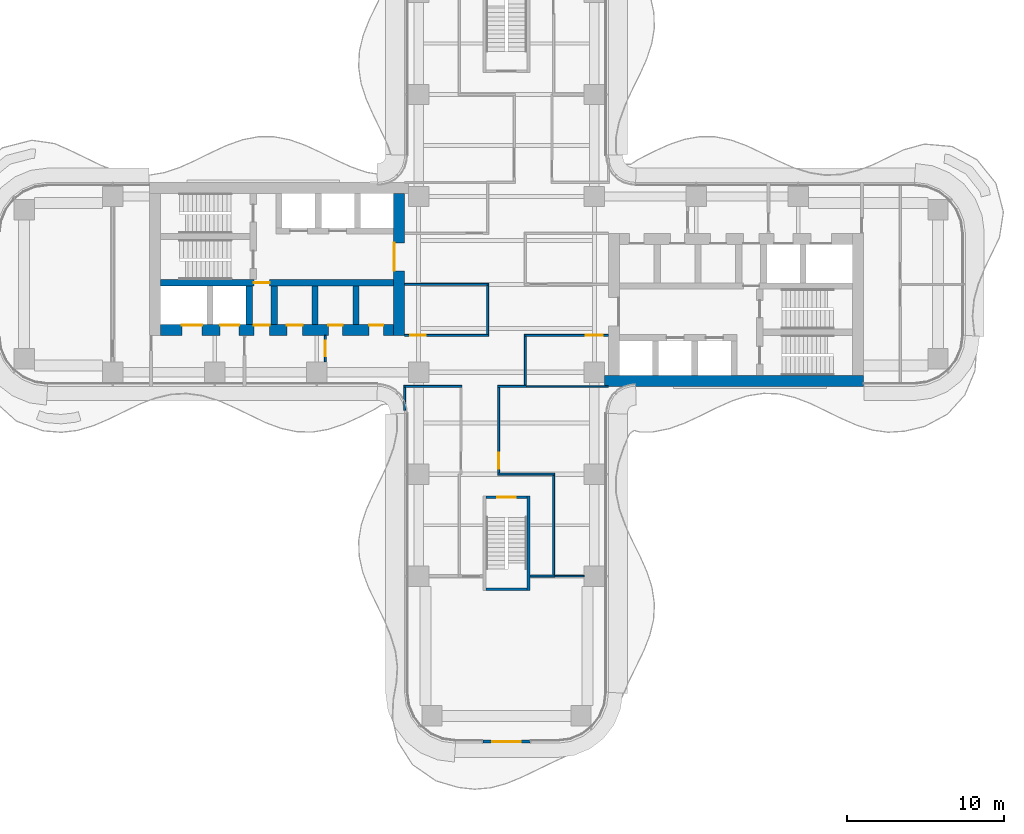
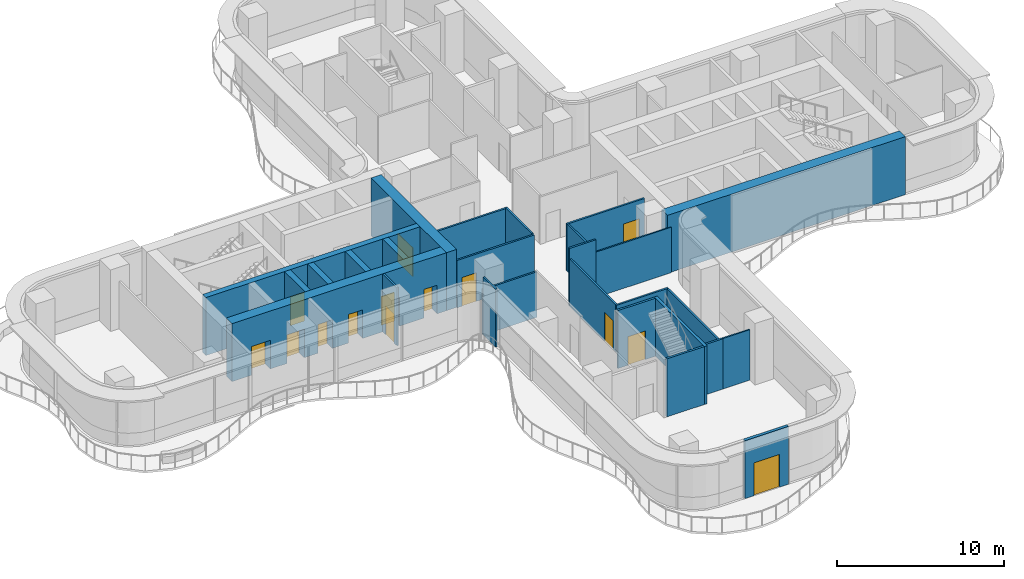
# One storey, part 16 of 21: 27 walls, 14 doors, 14 openings.
"""IFC4 building model written with IfcOpenShell, lengths in metres."""

from ifc_helpers import new_model, si_unit, direction, frame, frame_2d, origin, place, context, subcontext, project, spatial, rectangle, extrude, source, transform, mapped, material, layer, layer_set, type_object, element, fill, save


model = new_model("IFC4")

# Units and contexts
model_context = context("Model", 3, precision=1e-05, world=origin(), true_north=direction((0.0, 1.0)))
body_context = subcontext(model_context, "Body", "Model", "MODEL_VIEW")
ifc_project = project(units=[si_unit("LENGTHUNIT", "METRE"), si_unit("AREAUNIT", "SQUARE_METRE"), si_unit("VOLUMEUNIT", "CUBIC_METRE"), si_unit("PLANEANGLEUNIT", "RADIAN"), si_unit("MASSUNIT", "GRAM", prefix="KILO")], contexts=[model_context])

# Site, building, storey
site_placement = place(None, origin())
site = spatial("IfcSite", under=ifc_project, at=site_placement, CompositionType="ELEMENT")
building_placement = place(site_placement, origin())
building = spatial("IfcBuilding", under=site, at=building_placement, Name="Trellis Farm Tower", CompositionType="ELEMENT")
storey_placement = place(building_placement, frame((0.0, 0.0, 102.0)))
storey = spatial("IfcBuildingStorey", under=building, at=storey_placement, Name="L21", CompositionType="ELEMENT", Elevation=102.0)

# Wall, opening, door
ifc_material_1 = material(Name="Concrete C70/85", Category="concrete")
ifc_layer_1 = layer(ifc_material_1, 0.699951171875)
ifc_layer_set_1 = layer_set([ifc_layer_1], Name="CORE OUTER WALL 700 CONCRETE C70/85")
wall_type_1 = type_object("IfcWallType", Name="CORE OUTER WALL 700 CONCRETE C70/85", PredefinedType="SHEAR", material=ifc_layer_set_1)
shared_shape_1 = source(origin(), body_context, "Body", "SweptSolid", [
    extrude(rectangle(XDim=9.050048828125, YDim=0.699951171875, at=frame_2d((4.52490234375, 0.0))), origin(), (0.0, 0.0, 1.0), 4.25),
])
wall_1_placement = place(storey_placement, frame((-6.85009765625, 5.800048828125, 0.0), z_axis=(0.0, 0.0, 1.0), x_axis=(0.0, -1.0, 0.0)))
wall_1 = element("IfcWall", 1, at=wall_1_placement, inside=storey, type_object=wall_type_1, Name="Core wall", PredefinedType="SHEAR", context=body_context, shape_type="MappedRepresentation", body=[
    mapped(shared_shape_1, transform((0.0, 0.0, 0.0))),
])
shared_shape_2 = source(origin(), body_context, "Body", "SweptSolid", [
    extrude(rectangle(XDim=1.800048828125, YDim=2.10009765625, at=frame_2d((0.89990234375, 1.050048828125))), frame((0.0, 0.360107421875, 0.0), z_axis=(0.0, -1.0, 0.0), x_axis=(1.0, 0.0, 0.0)), (0.0, 0.0, 1.0), 0.72021484375),
])
opening_1_placement = place(wall_1_placement, frame((3.14990234375, 0.0, 0.0)))
opening_1 = element("IfcOpeningElement", 2, at=opening_1_placement, cuts=wall_1, Name="Opening DC87", PredefinedType="OPENING", context=body_context, shape_type="MappedRepresentation", body=[
    mapped(shared_shape_2, transform((0.0, 0.0, 0.0))),
])
ifc_material_2 = material(Name="Steel", Category="steel")
door_type_1 = type_object("IfcDoorType", Name="CORE FIRE DOOR DOUBLE 1800 X 2100", OperationType="DOUBLE_DOOR_SINGLE_SWING", PredefinedType="DOOR", material=ifc_material_2)
shared_shape_3 = source(origin(), body_context, "Body", "SweptSolid", [
    extrude(rectangle(XDim=1.800048828125, YDim=2.10009765625, at=frame_2d((0.89990234375, 1.050048828125))), frame((0.0, -0.27490234375, 0.0), z_axis=(0.0, -1.0, 0.0), x_axis=(1.0, 0.0, 0.0)), (0.0, 0.0, 1.0), 0.050048828125),
])
door_1_placement = place(opening_1_placement, origin())
door_1 = element("IfcDoor", 3, at=door_1_placement, inside=storey, type_object=door_type_1, Name="Core door", OperationType="DOUBLE_DOOR_SINGLE_SWING", OverallHeight=2.10009765625, OverallWidth=1.800048828125, PredefinedType="DOOR", context=body_context, shape_type="MappedRepresentation", body=[
    mapped(shared_shape_3, transform((0.0, 0.0, 0.0))),
])
fill(opening_1, door_1)

# Walls
ifc_layer_2 = layer(ifc_material_1, 0.39990234375)
ifc_layer_set_2 = layer_set([ifc_layer_2], Name="CORE INNER WALL 400 CONCRETE C70/85")
wall_type_2 = type_object("IfcWallType", Name="CORE INNER WALL 400 CONCRETE C70/85", PredefinedType="SHEAR", material=ifc_layer_set_2)
shared_shape_4 = source(origin(), body_context, "Body", "SweptSolid", [
    extrude(rectangle(XDim=2.449951171875, YDim=0.39990234375, at=frame_2d((1.22509765625, 0.0))), origin(), (0.0, 0.0, 1.0), 4.25),
])
for number, where, z_axis, x_axis, name in (
    (4, (-9.60009765625, -0.10009765625, 0.0), (0.0, 0.0, 1.0), (0.0, -1.0, 0.0), "Core wall"),
    (5, (-12.199951171875, -0.10009765625, 0.0), (0.0, 0.0, 1.0), (0.0, -1.0, 0.0), "Core wall"),
    (6, (-14.800048828125, -0.10009765625, 0.0), (0.0, 0.0, 1.0), (0.0, -1.0, 0.0), "Core wall"),
    (7, (-16.39990234375, -0.10009765625, 0.0), (0.0, 0.0, 1.0), (0.0, -1.0, 0.0), "Core wall"),
):
    element("IfcWall", number, at=place(storey_placement, frame(where, z_axis=z_axis, x_axis=x_axis)), inside=storey, type_object=wall_type_2, Name=name, PredefinedType="SHEAR", context=body_context, shape_type="MappedRepresentation", body=[
        mapped(shared_shape_4, transform((0.0, 0.0, 0.0))),
    ])

# Wall, openings, doors
shared_shape_5 = source(origin(), body_context, "Body", "SweptSolid", [
    extrude(rectangle(XDim=14.85009765625, YDim=0.699951171875, at=frame_2d((7.425048828125, 0.0))), origin(), (0.0, 0.0, 1.0), 4.25),
])
wall_2_placement = place(storey_placement, frame((-7.199951171875, -2.89990234375, 0.0), z_axis=(0.0, 0.0, 1.0), x_axis=(-1.0, 0.0, 0.0)))
wall_2 = element("IfcWall", 8, at=wall_2_placement, inside=storey, type_object=wall_type_1, Name="Core wall", PredefinedType="SHEAR", context=body_context, shape_type="MappedRepresentation", body=[
    mapped(shared_shape_5, transform((0.0, 0.0, 0.0))),
])
shared_shape_6 = source(origin(), body_context, "Body", "SweptSolid", [
    extrude(rectangle(XDim=1.300048828125, YDim=2.10009765625, at=frame_2d((0.64990234375, 1.050048828125))), frame((0.0, 0.360107421875, 0.0), z_axis=(0.0, -1.0, 0.0), x_axis=(1.0, 0.0, 0.0)), (0.0, 0.0, 1.0), 0.72021484375),
])
opening_2_placement = place(wall_2_placement, frame((12.199951171875, 0.0, 0.0)))
opening_2 = element("IfcOpeningElement", 9, at=opening_2_placement, cuts=wall_2, Name="Opening LD15", PredefinedType="OPENING", context=body_context, shape_type="MappedRepresentation", body=[
    mapped(shared_shape_6, transform((0.0, 0.0, 0.0))),
])
shared_shape_7 = source(origin(), body_context, "Body", "SweptSolid", [
    extrude(rectangle(XDim=1.199951171875, YDim=2.10009765625, at=frame_2d((0.60009765625, 1.050048828125))), frame((0.0, 0.360107421875, 0.0), z_axis=(0.0, -1.0, 0.0), x_axis=(1.0, 0.0, 0.0)), (0.0, 0.0, 1.0), 0.72021484375),
])
opening_3_placement = place(wall_2_placement, frame((9.85009765625, 0.0, 0.0)))
opening_3 = element("IfcOpeningElement", 10, at=opening_3_placement, cuts=wall_2, Name="Opening LD16", PredefinedType="OPENING", context=body_context, shape_type="MappedRepresentation", body=[
    mapped(shared_shape_7, transform((0.0, 0.0, 0.0))),
])
shared_shape_8 = source(origin(), body_context, "Body", "SweptSolid", [
    extrude(rectangle(XDim=1.0, YDim=2.10009765625, at=frame_2d((0.5, 1.050048828125))), frame((0.0, 0.360107421875, 0.0), z_axis=(0.0, -1.0, 0.0), x_axis=(1.0, 0.0, 0.0)), (0.0, 0.0, 1.0), 0.72021484375),
])
opening_4_placement = place(wall_2_placement, frame((7.89990234375, 0.0, 0.0)))
opening_4 = element("IfcOpeningElement", 11, at=opening_4_placement, cuts=wall_2, Name="Opening DC92", PredefinedType="OPENING", context=body_context, shape_type="MappedRepresentation", body=[
    mapped(shared_shape_8, transform((0.0, 0.0, 0.0))),
])
shared_shape_9 = source(origin(), body_context, "Body", "SweptSolid", [
    extrude(rectangle(XDim=0.89990234375, YDim=2.10009765625, at=frame_2d((0.449951171875, 1.050048828125))), frame((0.0, 0.360107421875, 0.0), z_axis=(0.0, -1.0, 0.0), x_axis=(1.0, 0.0, 0.0)), (0.0, 0.0, 1.0), 0.72021484375),
])
opening_5_placement = place(wall_2_placement, frame((0.64990234375, 0.0, 0.0)))
opening_5 = element("IfcOpeningElement", 12, at=opening_5_placement, cuts=wall_2, Name="Opening DC97", PredefinedType="OPENING", context=body_context, shape_type="MappedRepresentation", body=[
    mapped(shared_shape_9, transform((0.0, 0.0, 0.0))),
])
opening_6_placement = place(wall_2_placement, frame((3.25, 0.0, 0.0)))
opening_6 = element("IfcOpeningElement", 13, at=opening_6_placement, cuts=wall_2, Name="Opening DC110", PredefinedType="OPENING", context=body_context, shape_type="MappedRepresentation", body=[
    mapped(shared_shape_9, transform((0.0, 0.0, 0.0))),
])
opening_7_placement = place(wall_2_placement, frame((5.800048828125, 0.0, 0.0)))
opening_7 = element("IfcOpeningElement", 14, at=opening_7_placement, cuts=wall_2, Name="Opening DC123", PredefinedType="OPENING", context=body_context, shape_type="MappedRepresentation", body=[
    mapped(shared_shape_8, transform((0.0, 0.0, 0.0))),
])
door_type_2 = type_object("IfcDoorType", Name="CORE FIRE DOOR 1000 X 2100", OperationType="NOTDEFINED", PredefinedType="DOOR", material=ifc_material_2)
shared_shape_10 = source(origin(), body_context, "Body", "SweptSolid", [
    extrude(rectangle(XDim=1.0, YDim=2.10009765625, at=frame_2d((0.5, 1.050048828125))), frame((0.0, -0.27490234375, 0.0), z_axis=(0.0, -1.0, 0.0), x_axis=(1.0, 0.0, 0.0)), (0.0, 0.0, 1.0), 0.050048828125),
])
door_2_placement = place(opening_4_placement, origin())
door_2 = element("IfcDoor", 15, at=door_2_placement, inside=storey, type_object=door_type_2, Name="Core door", OperationType="SINGLE_SWING_LEFT", OverallHeight=2.10009765625, OverallWidth=1.0, PredefinedType="DOOR", context=body_context, shape_type="MappedRepresentation", body=[
    mapped(shared_shape_10, transform((0.0, 0.0, 0.0))),
])
fill(opening_4, door_2)
door_3_placement = place(opening_7_placement, origin())
door_3 = element("IfcDoor", 16, at=door_3_placement, inside=storey, type_object=door_type_2, Name="Core door", OperationType="SINGLE_SWING_LEFT", OverallHeight=2.10009765625, OverallWidth=1.0, PredefinedType="DOOR", context=body_context, shape_type="MappedRepresentation", body=[
    mapped(shared_shape_10, transform((0.0, 0.0, 0.0))),
])
fill(opening_7, door_3)
door_type_3 = type_object("IfcDoorType", Name="CORE FIRE DOOR 900 X 2100", OperationType="NOTDEFINED", PredefinedType="DOOR", material=ifc_material_2)
shared_shape_11 = source(origin(), body_context, "Body", "SweptSolid", [
    extrude(rectangle(XDim=0.89990234375, YDim=2.10009765625, at=frame_2d((0.449951171875, 1.050048828125))), frame((0.0, -0.27490234375, 0.0), z_axis=(0.0, -1.0, 0.0), x_axis=(1.0, 0.0, 0.0)), (0.0, 0.0, 1.0), 0.050048828125),
])
door_4_placement = place(opening_5_placement, origin())
door_4 = element("IfcDoor", 17, at=door_4_placement, inside=storey, type_object=door_type_3, Name="Core door", OperationType="SINGLE_SWING_LEFT", OverallHeight=2.10009765625, OverallWidth=0.89990234375, PredefinedType="DOOR", context=body_context, shape_type="MappedRepresentation", body=[
    mapped(shared_shape_11, transform((0.0, 0.0, 0.0))),
])
fill(opening_5, door_4)
door_5_placement = place(opening_6_placement, origin())
door_5 = element("IfcDoor", 18, at=door_5_placement, inside=storey, type_object=door_type_3, Name="Core door", OperationType="SINGLE_SWING_RIGHT", OverallHeight=2.10009765625, OverallWidth=0.89990234375, PredefinedType="DOOR", context=body_context, shape_type="MappedRepresentation", body=[
    mapped(shared_shape_11, transform((0.0, 0.0, 0.0))),
])
fill(opening_6, door_5)
ifc_material_3 = material(Name="Stainless steel", Category="steel")
door_type_4 = type_object("IfcDoorType", Name="LIFT LANDING DOOR 1300 X 2100", OperationType="DOUBLE_DOOR_SLIDING", PredefinedType="DOOR", material=ifc_material_3)
shared_shape_12 = source(origin(), body_context, "Body", "SweptSolid", [
    extrude(rectangle(XDim=1.300048828125, YDim=2.10009765625, at=frame_2d((0.64990234375, 1.050048828125))), frame((0.0, -0.27490234375, 0.0), z_axis=(0.0, -1.0, 0.0), x_axis=(1.0, 0.0, 0.0)), (0.0, 0.0, 1.0), 0.050048828125),
])
door_6_placement = place(opening_2_placement, origin())
door_6 = element("IfcDoor", 19, at=door_6_placement, inside=storey, type_object=door_type_4, Name="Lift landing door", OperationType="DOUBLE_DOOR_SLIDING", OverallHeight=2.10009765625, OverallWidth=1.300048828125, PredefinedType="DOOR", context=body_context, shape_type="MappedRepresentation", body=[
    mapped(shared_shape_12, transform((0.0, 0.0, 0.0))),
])
fill(opening_2, door_6)
door_type_5 = type_object("IfcDoorType", Name="LIFT LANDING DOOR 1200 X 2100", OperationType="DOUBLE_DOOR_SLIDING", PredefinedType="DOOR", material=ifc_material_3)
shared_shape_13 = source(origin(), body_context, "Body", "SweptSolid", [
    extrude(rectangle(XDim=1.199951171875, YDim=2.10009765625, at=frame_2d((0.60009765625, 1.050048828125))), frame((0.0, -0.27490234375, 0.0), z_axis=(0.0, -1.0, 0.0), x_axis=(1.0, 0.0, 0.0)), (0.0, 0.0, 1.0), 0.050048828125),
])
door_7_placement = place(opening_3_placement, origin())
door_7 = element("IfcDoor", 20, at=door_7_placement, inside=storey, type_object=door_type_5, Name="Lift landing door", OperationType="DOUBLE_DOOR_SLIDING", OverallHeight=2.10009765625, OverallWidth=1.199951171875, PredefinedType="DOOR", context=body_context, shape_type="MappedRepresentation", body=[
    mapped(shared_shape_13, transform((0.0, 0.0, 0.0))),
])
fill(opening_3, door_7)

# Wall, opening, door
shared_shape_14 = source(origin(), body_context, "Body", "SweptSolid", [
    extrude(rectangle(XDim=14.85009765625, YDim=0.39990234375, at=frame_2d((7.425048828125, 0.0))), origin(), (0.0, 0.0, 1.0), 4.25),
])
wall_3_placement = place(storey_placement, frame((-7.199951171875, 0.10009765625, 0.0), z_axis=(0.0, 0.0, 1.0), x_axis=(-1.0, 0.0, 0.0)))
wall_3 = element("IfcWall", 21, at=wall_3_placement, inside=storey, type_object=wall_type_2, Name="Core wall", PredefinedType="SHEAR", context=body_context, shape_type="MappedRepresentation", body=[
    mapped(shared_shape_14, transform((0.0, 0.0, 0.0))),
])
shared_shape_15 = source(origin(), body_context, "Body", "SweptSolid", [
    extrude(rectangle(XDim=1.0, YDim=2.10009765625, at=frame_2d((0.5, 1.050048828125))), frame((0.0, 0.2099609375, 0.0), z_axis=(0.0, -1.0, 0.0), x_axis=(1.0, 0.0, 0.0)), (0.0, 0.0, 1.0), 0.419921875),
])
opening_8_placement = place(wall_3_placement, frame((7.89990234375, 0.0, 0.0)))
opening_8 = element("IfcOpeningElement", 22, at=opening_8_placement, cuts=wall_3, Name="Opening DC91", PredefinedType="OPENING", context=body_context, shape_type="MappedRepresentation", body=[
    mapped(shared_shape_15, transform((0.0, 0.0, 0.0))),
])
shared_shape_16 = source(origin(), body_context, "Body", "SweptSolid", [
    extrude(rectangle(XDim=1.0, YDim=2.10009765625, at=frame_2d((0.5, 1.050048828125))), frame((0.0, 0.02490234375, 0.0), z_axis=(0.0, -1.0, 0.0), x_axis=(1.0, 0.0, 0.0)), (0.0, 0.0, 1.0), 0.050048828125),
])
door_8_placement = place(opening_8_placement, origin())
door_8 = element("IfcDoor", 23, at=door_8_placement, inside=storey, type_object=door_type_2, Name="Core door", OperationType="SINGLE_SWING_RIGHT", OverallHeight=2.10009765625, OverallWidth=1.0, PredefinedType="DOOR", context=body_context, shape_type="MappedRepresentation", body=[
    mapped(shared_shape_16, transform((0.0, 0.0, 0.0))),
])
fill(opening_8, door_8)

# Walls
shared_shape_17 = source(origin(), body_context, "Body", "SweptSolid", [
    extrude(rectangle(XDim=16.5, YDim=0.699951171875, at=frame_2d((8.25, 0.0))), origin(), (0.0, 0.0, 1.0), 4.25),
])
wall_4_placement = place(storey_placement, frame((6.25, -6.14990234375, 0.0), z_axis=(0.0, 0.0, 1.0), x_axis=(1.0, 0.0, 0.0)))
element("IfcWall", 24, at=wall_4_placement, inside=storey, type_object=wall_type_1, Name="Core wall", PredefinedType="SHEAR", context=body_context, shape_type="MappedRepresentation", body=[
    mapped(shared_shape_17, transform((0.0, 0.0, 0.0))),
])
ifc_layer_3 = layer(ifc_material_1, 0.199951171875)
ifc_layer_set_3 = layer_set([ifc_layer_3], Name="CORE STAIR ENCLOSURE WALL 200 CONCRETE C70/85")
wall_type_3 = type_object("IfcWallType", Name="CORE STAIR ENCLOSURE WALL 200 CONCRETE C70/85", PredefinedType="SHEAR", material=ifc_layer_set_3)
shared_shape_18 = source(origin(), body_context, "Body", "SweptSolid", [
    extrude(rectangle(XDim=6.0, YDim=0.199951171875, at=frame_2d((3.0, 0.0))), origin(), (0.0, 0.0, 1.0), 4.25),
])
wall_5_placement = place(storey_placement, frame((1.39990234375, -13.5, 0.0), z_axis=(0.0, 0.0, 1.0), x_axis=(0.0, -1.0, 0.0)))
element("IfcWall", 25, at=wall_5_placement, inside=storey, type_object=wall_type_3, Name="Stair enclosure wall", PredefinedType="SHEAR", context=body_context, shape_type="MappedRepresentation", body=[
    mapped(shared_shape_18, transform((0.0, 0.0, 0.0))),
])

# Wall, opening, door
ifc_layer_4 = layer(ifc_material_1, 0.14990234375)
ifc_layer_set_4 = layer_set([ifc_layer_4], Name="CORE STAIR ENCLOSURE WALL 150 CONCRETE C70/85")
wall_type_4 = type_object("IfcWallType", Name="CORE STAIR ENCLOSURE WALL 150 CONCRETE C70/85", PredefinedType="SHEAR", material=ifc_layer_set_4)
shared_shape_19 = source(origin(), body_context, "Body", "SweptSolid", [
    extrude(rectangle(XDim=2.60009765625, YDim=0.14990234375, at=frame_2d((1.300048828125, 0.0))), origin(), (0.0, 0.0, 1.0), 4.25),
])
wall_6_placement = place(storey_placement, frame((1.300048828125, -13.574951171875, 0.0), z_axis=(0.0, 0.0, 1.0), x_axis=(-1.0, 0.0, 0.0)))
wall_6 = element("IfcWall", 26, at=wall_6_placement, inside=storey, type_object=wall_type_4, Name="Stair enclosure wall", PredefinedType="SHEAR", context=body_context, shape_type="MappedRepresentation", body=[
    mapped(shared_shape_19, transform((0.0, 0.0, 0.0))),
])
shared_shape_20 = source(origin(), body_context, "Body", "SweptSolid", [
    extrude(rectangle(XDim=1.199951171875, YDim=2.10009765625, at=frame_2d((0.60009765625, 1.050048828125))), frame((0.0, 0.0849609375, 0.0), z_axis=(0.0, -1.0, 0.0), x_axis=(1.0, 0.0, 0.0)), (0.0, 0.0, 1.0), 0.169921875),
])
opening_9_placement = place(wall_6_placement, frame((0.699951171875, 0.0, 0.0)))
opening_9 = element("IfcOpeningElement", 27, at=opening_9_placement, cuts=wall_6, Name="Opening DC174", PredefinedType="OPENING", context=body_context, shape_type="MappedRepresentation", body=[
    mapped(shared_shape_20, transform((0.0, 0.0, 0.0))),
])
door_type_6 = type_object("IfcDoorType", Name="CORE FIRE DOOR 1200 X 2100", OperationType="NOTDEFINED", PredefinedType="DOOR", material=ifc_material_2)
shared_shape_21 = source(origin(), body_context, "Body", "SweptSolid", [
    extrude(rectangle(XDim=1.199951171875, YDim=2.10009765625, at=frame_2d((0.60009765625, 1.050048828125))), frame((0.0, 0.02490234375, 0.0), z_axis=(0.0, -1.0, 0.0), x_axis=(1.0, 0.0, 0.0)), (0.0, 0.0, 1.0), 0.050048828125),
])
door_9_placement = place(opening_9_placement, origin())
door_9 = element("IfcDoor", 28, at=door_9_placement, inside=storey, type_object=door_type_6, Name="Core door", OperationType="SINGLE_SWING_RIGHT", OverallHeight=2.10009765625, OverallWidth=1.199951171875, PredefinedType="DOOR", context=body_context, shape_type="MappedRepresentation", body=[
    mapped(shared_shape_21, transform((0.0, 0.0, 0.0))),
])
fill(opening_9, door_9)

# Wall
wall_7_placement = place(storey_placement, frame((1.300048828125, -19.425048828125, 0.0), z_axis=(0.0, 0.0, 1.0), x_axis=(-1.0, 0.0, 0.0)))
element("IfcWall", 29, at=wall_7_placement, inside=storey, type_object=wall_type_4, Name="Stair enclosure wall", PredefinedType="SHEAR", context=body_context, shape_type="MappedRepresentation", body=[
    mapped(shared_shape_19, transform((0.0, 0.0, 0.0))),
])

# Wall, opening, door
ifc_material_4 = material(Name="Sandstone faced insulated wall", Category="masonry")
ifc_layer_5 = layer(ifc_material_4, 0.199951171875)
ifc_layer_set_5 = layer_set([ifc_layer_5], Name="EXTERNAL INFILL WALL 200")
wall_type_5 = type_object("IfcWallType", Name="EXTERNAL INFILL WALL 200", PredefinedType="SOLIDWALL", material=ifc_layer_set_5)
shared_shape_22 = source(origin(), body_context, "Body", "SweptSolid", [
    extrude(rectangle(XDim=3.0, YDim=0.199951171875, at=frame_2d((1.5, 0.0))), origin(), (0.0, 0.0, 1.0), 4.25),
])
wall_8_placement = place(storey_placement, frame((-1.5, -29.14990234375, 0.0), z_axis=(0.0, 0.0, 1.0), x_axis=(1.0, 0.0, 0.0)))
wall_8 = element("IfcWall", 30, at=wall_8_placement, inside=storey, type_object=wall_type_5, Name="EW1 01", PredefinedType="SOLIDWALL", context=body_context, shape_type="MappedRepresentation", body=[
    mapped(shared_shape_22, transform((0.0, 0.0, 0.0))),
])
shared_shape_23 = source(origin(), body_context, "Body", "SweptSolid", [
    extrude(rectangle(XDim=1.800048828125, YDim=2.39990234375, at=frame_2d((0.89990234375, 1.199951171875))), frame((0.0, 0.110107421875, 0.0), z_axis=(0.0, -1.0, 0.0), x_axis=(1.0, 0.0, 0.0)), (0.0, 0.0, 1.0), 0.22021484375),
])
opening_10_placement = place(wall_8_placement, frame((0.60009765625, 0.0, 0.0)))
opening_10 = element("IfcOpeningElement", 31, at=opening_10_placement, cuts=wall_8, Name="Opening ED1", PredefinedType="OPENING", context=body_context, shape_type="MappedRepresentation", body=[
    mapped(shared_shape_23, transform((0.0, 0.0, 0.0))),
])
ifc_material_5 = material(Name="Aluminium framed glazed door", Category="aluminium")
door_type_7 = type_object("IfcDoorType", Name="BALCONY DOOR 1800x2400", OperationType="DOUBLE_DOOR_SINGLE_SWING", PredefinedType="DOOR", material=ifc_material_5)
shared_shape_24 = source(origin(), body_context, "Body", "SweptSolid", [
    extrude(rectangle(XDim=1.800048828125, YDim=2.39990234375, at=frame_2d((0.89990234375, 1.199951171875))), frame((0.0, 0.02490234375, 0.0), z_axis=(0.0, -1.0, 0.0), x_axis=(1.0, 0.0, 0.0)), (0.0, 0.0, 1.0), 0.050048828125),
])
door_10_placement = place(opening_10_placement, origin())
door_10 = element("IfcDoor", 32, at=door_10_placement, inside=storey, type_object=door_type_7, Name="Balcony door", OperationType="DOUBLE_DOOR_SINGLE_SWING", OverallHeight=2.39990234375, OverallWidth=1.800048828125, PredefinedType="DOOR", context=body_context, shape_type="MappedRepresentation", body=[
    mapped(shared_shape_24, transform((0.0, 0.0, 0.0))),
])
fill(opening_10, door_10)

# Wall
ifc_material_6 = material(Name="Plasterboard on steel studs, mineral wool", Category="steel")
ifc_layer_6 = layer(ifc_material_6, 0.125)
ifc_layer_set_6 = layer_set([ifc_layer_6], Name="PARTITION 125 STUD EI 60")
wall_type_6 = type_object("IfcWallType", Name="PARTITION 125 STUD EI 60", PredefinedType="PARTITIONING", material=ifc_layer_set_6)
shared_shape_25 = source(origin(), body_context, "Body", "SweptSolid", [
    extrude(rectangle(XDim=3.125, YDim=0.125, at=frame_2d((1.5625, 0.0))), origin(), (0.0, 0.0, 1.0), 3.54638671875),
])
wall_9_placement = place(storey_placement, frame((-1.199951171875, -0.0625, 0.0), z_axis=(0.0, 0.0, 1.0), x_axis=(0.0, -1.0, 0.0)))
element("IfcWall", 33, at=wall_9_placement, inside=storey, type_object=wall_type_6, Name="Partition PW1", PredefinedType="PARTITIONING", context=body_context, shape_type="MappedRepresentation", body=[
    mapped(shared_shape_25, transform((0.0, 0.0, 0.0))),
])

# Wall, opening, door
shared_shape_26 = source(origin(), body_context, "Body", "SweptSolid", [
    extrude(rectangle(XDim=5.47509765625, YDim=0.125, at=frame_2d((2.737548828125, 0.0))), origin(), (0.0, 0.0, 1.0), 3.4677734375),
])
wall_10_placement = place(storey_placement, frame((-0.5, -12.03759765625, 0.0), z_axis=(0.0, 0.0, 1.0), x_axis=(0.0, 1.0, 0.0)))
wall_10 = element("IfcWall", 34, at=wall_10_placement, inside=storey, type_object=wall_type_6, Name="Partition PW1", PredefinedType="PARTITIONING", context=body_context, shape_type="MappedRepresentation", body=[
    mapped(shared_shape_26, transform((0.0, 0.0, 0.0))),
])
shared_shape_27 = source(origin(), body_context, "Body", "SweptSolid", [
    extrude(rectangle(XDim=1.0, YDim=2.10009765625, at=frame_2d((0.5, 1.050048828125))), frame((0.0, 0.072509765625, 0.0), z_axis=(0.0, -1.0, 0.0), x_axis=(1.0, 0.0, 0.0)), (0.0, 0.0, 1.0), 0.14501953125),
])
opening_11_placement = place(wall_10_placement, frame((0.28759765625, 0.0, 0.0)))
opening_11 = element("IfcOpeningElement", 35, at=opening_11_placement, cuts=wall_10, Name="Opening D102", PredefinedType="OPENING", context=body_context, shape_type="MappedRepresentation", body=[
    mapped(shared_shape_27, transform((0.0, 0.0, 0.0))),
])
ifc_material_7 = material(Name="Fire-rated timber door leaf in a hollow metal frame", Category="wood")
door_type_8 = type_object("IfcDoorType", Name="DOOR 1000x2100 FD30S", OperationType="NOTDEFINED", PredefinedType="DOOR", material=ifc_material_7)
door_11_placement = place(opening_11_placement, origin())
door_11 = element("IfcDoor", 36, at=door_11_placement, inside=storey, type_object=door_type_8, Name="Door D102", OperationType="SINGLE_SWING_LEFT", OverallHeight=2.10009765625, OverallWidth=1.0, PredefinedType="DOOR", context=body_context, shape_type="MappedRepresentation", body=[
    mapped(shared_shape_16, transform((0.0, 0.0, 0.0))),
])
fill(opening_11, door_11)

# Wall
shared_shape_28 = source(origin(), body_context, "Body", "SweptSolid", [
    extrude(rectangle(XDim=1.468994140625, YDim=0.125, at=frame_2d((0.734375, 0.0))), origin(), (0.0, 0.0, 1.0), 4.25),
])
wall_11_placement = place(storey_placement, frame((-6.5, -6.5625, 0.0), z_axis=(0.0, 0.0, 1.0), x_axis=(0.0, -1.0, 0.0)))
element("IfcWall", 37, at=wall_11_placement, inside=storey, type_object=wall_type_6, Name="Partition PW1", PredefinedType="PARTITIONING", context=body_context, shape_type="MappedRepresentation", body=[
    mapped(shared_shape_28, transform((0.0, 0.0, 0.0))),
])

# Wall, opening, door
shared_shape_29 = source(origin(), body_context, "Body", "SweptSolid", [
    extrude(rectangle(XDim=5.362548828125, YDim=0.125, at=frame_2d((2.68115234375, 0.0))), origin(), (0.0, 0.0, 1.0), 3.4677734375),
])
wall_12_placement = place(storey_placement, frame((-1.137451171875, -3.25, 0.0), z_axis=(0.0, 0.0, 1.0), x_axis=(-1.0, 0.0, 0.0)))
wall_12 = element("IfcWall", 38, at=wall_12_placement, inside=storey, type_object=wall_type_6, Name="Partition PW1", PredefinedType="PARTITIONING", context=body_context, shape_type="MappedRepresentation", body=[
    mapped(shared_shape_29, transform((0.0, 0.0, 0.0))),
])
opening_12_placement = place(wall_12_placement, frame((4.012451171875, 0.0, 0.0)))
opening_12 = element("IfcOpeningElement", 39, at=opening_12_placement, cuts=wall_12, Name="Opening D104", PredefinedType="OPENING", context=body_context, shape_type="MappedRepresentation", body=[
    mapped(shared_shape_27, transform((0.0, 0.0, 0.0))),
])
door_12_placement = place(opening_12_placement, origin())
door_12 = element("IfcDoor", 40, at=door_12_placement, inside=storey, type_object=door_type_8, Name="Door D104", OperationType="SINGLE_SWING_RIGHT", OverallHeight=2.10009765625, OverallWidth=1.0, PredefinedType="DOOR", context=body_context, shape_type="MappedRepresentation", body=[
    mapped(shared_shape_16, transform((0.0, 0.0, 0.0))),
])
fill(opening_12, door_12)

wall_13_placement = place(storey_placement, frame((6.5, -3.25, 0.0), z_axis=(0.0, 0.0, 1.0), x_axis=(-1.0, 0.0, 0.0)))
wall_13 = element("IfcWall", 41, at=wall_13_placement, inside=storey, type_object=wall_type_6, Name="Partition PW1", PredefinedType="PARTITIONING", context=body_context, shape_type="MappedRepresentation", body=[
    mapped(shared_shape_29, transform((0.0, 0.0, 0.0))),
])
shared_shape_30 = source(origin(), body_context, "Body", "SweptSolid", [
    extrude(rectangle(XDim=1.10009765625, YDim=2.10009765625, at=frame_2d((0.550048828125, 1.050048828125))), frame((0.0, 0.072509765625, 0.0), z_axis=(0.0, -1.0, 0.0), x_axis=(1.0, 0.0, 0.0)), (0.0, 0.0, 1.0), 0.14501953125),
])
opening_13_placement = place(wall_13_placement, frame((0.35009765625, 0.0, 0.0)))
opening_13 = element("IfcOpeningElement", 42, at=opening_13_placement, cuts=wall_13, Name="Opening D501", PredefinedType="OPENING", context=body_context, shape_type="MappedRepresentation", body=[
    mapped(shared_shape_30, transform((0.0, 0.0, 0.0))),
])
door_type_9 = type_object("IfcDoorType", Name="DOOR 1100x2100 FD30S", OperationType="NOTDEFINED", PredefinedType="DOOR", material=ifc_material_7)
shared_shape_31 = source(origin(), body_context, "Body", "SweptSolid", [
    extrude(rectangle(XDim=1.10009765625, YDim=2.10009765625, at=frame_2d((0.550048828125, 1.050048828125))), frame((0.0, 0.02490234375, 0.0), z_axis=(0.0, -1.0, 0.0), x_axis=(1.0, 0.0, 0.0)), (0.0, 0.0, 1.0), 0.050048828125),
])
door_13_placement = place(opening_13_placement, origin())
door_13 = element("IfcDoor", 43, at=door_13_placement, inside=storey, type_object=door_type_9, Name="Door D501", OperationType="SINGLE_SWING_LEFT", OverallHeight=2.10009765625, OverallWidth=1.10009765625, PredefinedType="DOOR", context=body_context, shape_type="MappedRepresentation", body=[
    mapped(shared_shape_31, transform((0.0, 0.0, 0.0))),
])
fill(opening_13, door_13)

# Walls
wall_14_placement = place(storey_placement, frame((-1.137451171875, 0.0, 0.0), z_axis=(0.0, 0.0, 1.0), x_axis=(-1.0, 0.0, 0.0)))
element("IfcWall", 44, at=wall_14_placement, inside=storey, type_object=wall_type_6, Name="Partition PW1", PredefinedType="PARTITIONING", context=body_context, shape_type="MappedRepresentation", body=[
    mapped(shared_shape_29, transform((0.0, 0.0, 0.0))),
])
shared_shape_32 = source(origin(), body_context, "Body", "SweptSolid", [
    extrude(rectangle(XDim=3.137451171875, YDim=0.125, at=frame_2d((1.56884765625, 0.0))), origin(), (0.0, 0.0, 1.0), 3.4677734375),
])
wall_15_placement = place(storey_placement, frame((1.199951171875, -3.3125, 0.0), z_axis=(0.0, 0.0, 1.0), x_axis=(0.0, -1.0, 0.0)))
element("IfcWall", 45, at=wall_15_placement, inside=storey, type_object=wall_type_6, Name="Partition PW1", PredefinedType="PARTITIONING", context=body_context, shape_type="MappedRepresentation", body=[
    mapped(shared_shape_32, transform((0.0, 0.0, 0.0))),
])
ifc_material_8 = material(Name="Plasterboard on steel studs", Category="steel")
ifc_layer_7 = layer(ifc_material_8, 0.10009765625)
ifc_layer_set_7 = layer_set([ifc_layer_7], Name="PARTITION 100 STUD EI 30")
wall_type_7 = type_object("IfcWallType", Name="PARTITION 100 STUD EI 30", PredefinedType="PARTITIONING", material=ifc_layer_set_7)
shared_shape_33 = source(origin(), body_context, "Body", "SweptSolid", [
    extrude(rectangle(XDim=5.362548828125, YDim=0.10009765625, at=frame_2d((2.68115234375, 0.0))), origin(), (0.0, 0.0, 1.0), 3.330078125),
])
wall_16_placement = place(storey_placement, frame((1.137451171875, -6.5, 0.0), z_axis=(0.0, 0.0, 1.0), x_axis=(1.0, 0.0, 0.0)))
element("IfcWall", 46, at=wall_16_placement, inside=storey, type_object=wall_type_7, Name="Partition PW2", PredefinedType="PARTITIONING", context=body_context, shape_type="MappedRepresentation", body=[
    mapped(shared_shape_33, transform((0.0, 0.0, 0.0))),
])
shared_shape_34 = source(origin(), body_context, "Body", "SweptSolid", [
    extrude(rectangle(XDim=1.5625, YDim=0.125, at=frame_2d((0.78125, 0.0))), origin(), (0.0, 0.0, 1.0), 3.697021484375),
])
wall_17_placement = place(storey_placement, frame((3.0625, -18.60009765625, 0.0), z_axis=(0.0, 0.0, 1.0), x_axis=(-1.0, 0.0, 0.0)))
element("IfcWall", 47, at=wall_17_placement, inside=storey, type_object=wall_type_6, Name="Partition PW1", PredefinedType="PARTITIONING", context=body_context, shape_type="MappedRepresentation", body=[
    mapped(shared_shape_34, transform((0.0, 0.0, 0.0))),
])
shared_shape_35 = source(origin(), body_context, "Body", "SweptSolid", [
    extrude(rectangle(XDim=6.387451171875, YDim=0.125, at=frame_2d((3.19384765625, 0.0))), origin(), (0.0, 0.0, 1.0), 3.4677734375),
])
wall_18_placement = place(storey_placement, frame((3.0, -12.16259765625, 0.0), z_axis=(0.0, 0.0, 1.0), x_axis=(0.0, -1.0, 0.0)))
element("IfcWall", 48, at=wall_18_placement, inside=storey, type_object=wall_type_6, Name="Partition PW1", PredefinedType="PARTITIONING", context=body_context, shape_type="MappedRepresentation", body=[
    mapped(shared_shape_35, transform((0.0, 0.0, 0.0))),
])

# Wall, opening, door
shared_shape_36 = source(origin(), body_context, "Body", "SweptSolid", [
    extrude(rectangle(XDim=1.699951171875, YDim=0.125, at=frame_2d((0.85009765625, 0.0))), origin(), (0.0, 0.0, 1.0), 4.25),
])
wall_19_placement = place(storey_placement, frame((-11.550048828125, -4.949951171875, 0.0), z_axis=(0.0, 0.0, 1.0), x_axis=(0.0, 1.0, 0.0)))
wall_19 = element("IfcWall", 49, at=wall_19_placement, inside=storey, type_object=wall_type_6, Name="Partition PW1", PredefinedType="PARTITIONING", context=body_context, shape_type="MappedRepresentation", body=[
    mapped(shared_shape_36, transform((0.0, 0.0, 0.0))),
])
opening_14_placement = place(wall_19_placement, frame((0.35009765625, 0.0, 0.0)))
opening_14 = element("IfcOpeningElement", 50, at=opening_14_placement, cuts=wall_19, Name="Opening D302", PredefinedType="OPENING", context=body_context, shape_type="MappedRepresentation", body=[
    mapped(shared_shape_27, transform((0.0, 0.0, 0.0))),
])
door_type_10 = type_object("IfcDoorType", Name="DOOR 1000x2100 FD60", OperationType="NOTDEFINED", PredefinedType="DOOR", material=ifc_material_7)
door_14_placement = place(opening_14_placement, origin())
door_14 = element("IfcDoor", 51, at=door_14_placement, inside=storey, type_object=door_type_10, Name="Door D302", OperationType="SINGLE_SWING_LEFT", OverallHeight=2.10009765625, OverallWidth=1.0, PredefinedType="DOOR", context=body_context, shape_type="MappedRepresentation", body=[
    mapped(shared_shape_16, transform((0.0, 0.0, 0.0))),
])
fill(opening_14, door_14)

# Walls
shared_shape_37 = source(origin(), body_context, "Body", "SweptSolid", [
    extrude(rectangle(XDim=1.824951171875, YDim=0.125, at=frame_2d((0.91259765625, 0.0))), origin(), (0.0, 0.0, 1.0), 4.25),
])
wall_20_placement = place(storey_placement, frame((1.262451171875, -6.5, 0.0), z_axis=(0.0, 0.0, 1.0), x_axis=(-1.0, 0.0, 0.0)))
element("IfcWall", 52, at=wall_20_placement, inside=storey, type_object=wall_type_6, Name="Partition PW1", PredefinedType="PARTITIONING", context=body_context, shape_type="MappedRepresentation", body=[
    mapped(shared_shape_37, transform((0.0, 0.0, 0.0))),
])
shared_shape_38 = source(origin(), body_context, "Body", "SweptSolid", [
    extrude(rectangle(XDim=3.72509765625, YDim=0.125, at=frame_2d((1.862548828125, 0.0))), origin(), (0.0, 0.0, 1.0), 3.330078125),
])
wall_21_placement = place(storey_placement, frame((-2.83740234375, -6.5, 0.0), z_axis=(0.0, 0.0, 1.0), x_axis=(-1.0, 0.0, 0.0)))
element("IfcWall", 53, at=wall_21_placement, inside=storey, type_object=wall_type_6, Name="Partition PW1", PredefinedType="PARTITIONING", context=body_context, shape_type="MappedRepresentation", body=[
    mapped(shared_shape_38, transform((0.0, 0.0, 0.0))),
])
shared_shape_39 = source(origin(), body_context, "Body", "SweptSolid", [
    extrude(rectangle(XDim=3.625, YDim=0.125, at=frame_2d((1.8125, 0.0))), origin(), (0.0, 0.0, 1.0), 3.4677734375),
])
wall_22_placement = place(storey_placement, frame((-0.5625, -12.10009765625, 0.0), z_axis=(0.0, 0.0, 1.0), x_axis=(1.0, 0.0, 0.0)))
element("IfcWall", 54, at=wall_22_placement, inside=storey, type_object=wall_type_6, Name="Partition PW1", PredefinedType="PARTITIONING", context=body_context, shape_type="MappedRepresentation", body=[
    mapped(shared_shape_39, transform((0.0, 0.0, 0.0))),
])
shared_shape_40 = source(origin(), body_context, "Body", "SweptSolid", [
    extrude(rectangle(XDim=2.012451171875, YDim=0.10009765625, at=frame_2d((1.00634765625, 0.0))), origin(), (0.0, 0.0, 1.0), 3.697021484375),
])
wall_23_placement = place(storey_placement, frame((2.9375, -18.60009765625, 0.0), z_axis=(0.0, 0.0, 1.0), x_axis=(1.0, 0.0, 0.0)))
element("IfcWall", 55, at=wall_23_placement, inside=storey, type_object=wall_type_7, Name="Partition PW2", PredefinedType="PARTITIONING", context=body_context, shape_type="MappedRepresentation", body=[
    mapped(shared_shape_40, transform((0.0, 0.0, 0.0))),
])

save(model, "model.ifc")
